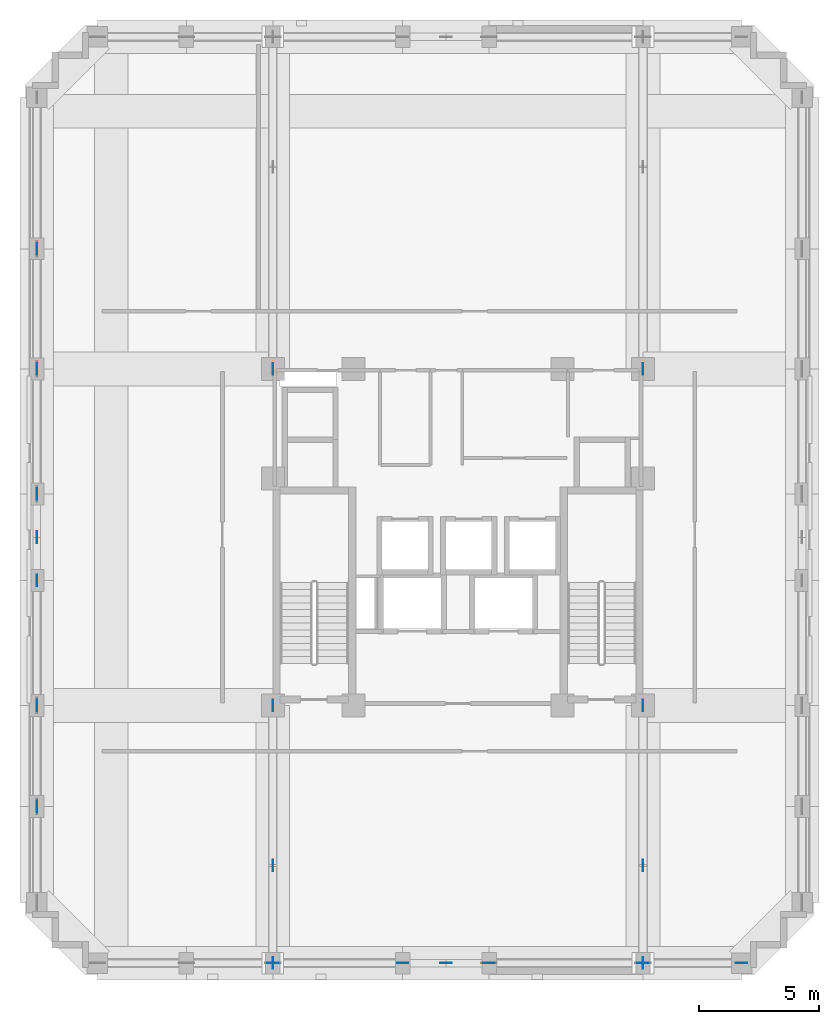
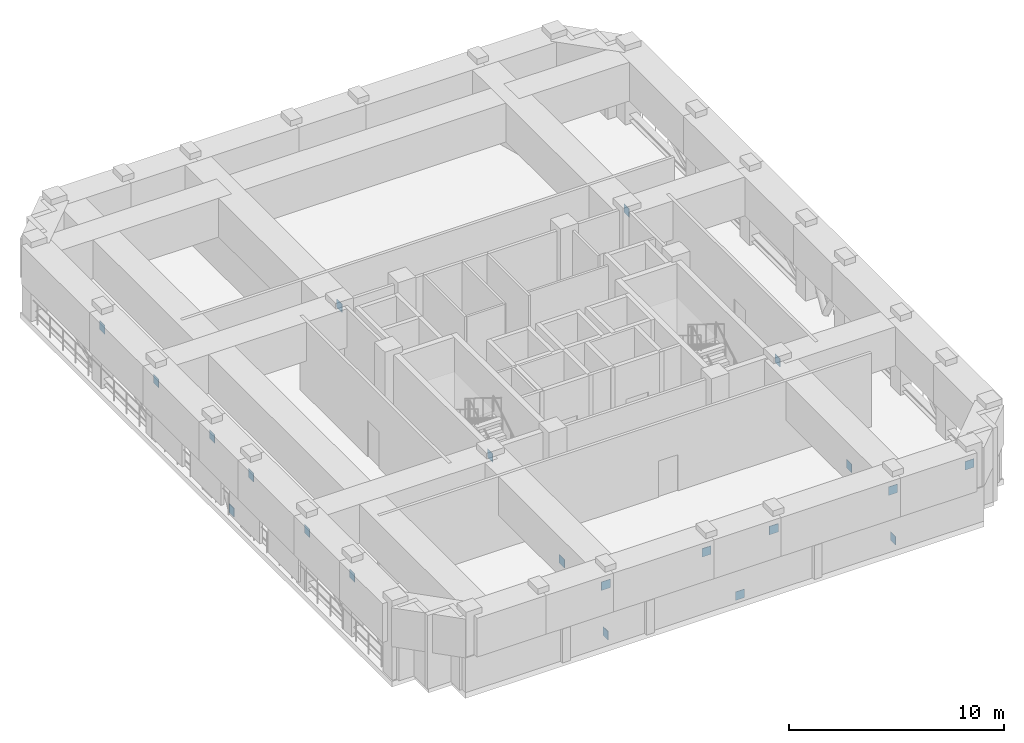
# One storey, part 6 of 12: 21 discrete accessories.
"""IFC4 building model written with IfcOpenShell, lengths in metres."""

from ifc_helpers import new_model, si_unit, derived_unit, direction, frame, origin, origin_2d, place, context, subcontext, project, spatial, rectangle, extrude, material, layer, layer_set, type_object, element, save


model = new_model("IFC4")

# Units and contexts
model_context = context("Model", 3, precision=1e-05, world=origin(), true_north=direction((0.0, 1.0)))
body_context = subcontext(model_context, "Body", "Model", "MODEL_VIEW")
ifc_project = project(units=[si_unit("LENGTHUNIT", "METRE"), si_unit("AREAUNIT", "SQUARE_METRE"), si_unit("VOLUMEUNIT", "CUBIC_METRE"), si_unit("PLANEANGLEUNIT", "RADIAN"), si_unit("MASSUNIT", "GRAM", prefix="KILO"), derived_unit("THERMALTRANSMITTANCEUNIT", [(si_unit("MASSUNIT", "GRAM", prefix="KILO"), 1), (si_unit("TIMEUNIT", "SECOND"), -3), (si_unit("THERMODYNAMICTEMPERATUREUNIT", "KELVIN"), -1)])], contexts=[model_context])

# Site, building, storey
site_placement = place(None, origin())
site = spatial("IfcSite", under=ifc_project, at=site_placement, CompositionType="ELEMENT")
building_placement = place(site_placement, origin())
building = spatial("IfcBuilding", under=site, at=building_placement, Name="Korrvale Station Residences", CompositionType="ELEMENT")
storey_placement = place(building_placement, frame((0.0, 0.0, 169.89990234375)))
storey = spatial("IfcBuildingStorey", under=building, at=storey_placement, Name="L49", CompositionType="ELEMENT", Elevation=169.89990234375)

# Discrete accessories
ifc_material = material(Name="Steel S355", Category="steel")
ifc_layer = layer(ifc_material, 0.02490234375, Name="Steel S355")
ifc_layer_set = layer_set([ifc_layer], Name="Steel S355")
discrete_accessory_type = type_object("IfcDiscreteAccessoryType", Name="ACC-GUSSET-25", PredefinedType="BRACKET", material=ifc_layer_set)
for number, where, z_axis, x_axis, name in (
    (1, (25.0, 4.280029296875, -0.219970703125), (0.0, 0.0, 1.0), (1.0, 0.0, 0.0), "L49 S Brace End Gusset Connection M"),
    (2, (23.199951171875, 4.280029296875, 2.860107421875), (0.0, 0.0, 1.0), (1.0, 0.0, 0.0), "L49 S Brace End Gusset Connection A"),
    (3, (26.800048828125, 4.280029296875, 2.860107421875), (0.0, 0.0, 1.0), (1.0, 0.0, 0.0), "L49 S Brace End Gusset Connection B"),
    (4, (7.97998046875, 22.0, -0.219970703125), (0.0, 0.0, 1.0), (0.0, 1.0, 0.0), "L49 W Brace End Gusset Connection M"),
    (5, (7.97998046875, 20.199951171875, 2.860107421875), (0.0, 0.0, 1.0), (0.0, 1.0, 0.0), "L49 W Brace End Gusset Connection A"),
    (6, (7.97998046875, 23.800048828125, 2.860107421875), (0.0, 0.0, 1.0), (0.0, 1.0, 0.0), "L49 W Brace End Gusset Connection B"),
    (7, (17.800048828125, 4.280029296875, 2.860107421875), (0.0, 0.0, 1.0), (1.0, 0.0, 0.0), "L49 Belt Truss Top Gusset Connection 02"),
    (8, (33.199951171875, 4.280029296875, 2.860107421875), (0.0, 0.0, 1.0), (1.0, 0.0, 0.0), "L49 Belt Truss Top Gusset Connection 04"),
    (9, (37.300048828125, 4.280029296875, 2.860107421875), (0.0, 0.0, 1.0), (1.0, 0.0, 0.0), "L49 Belt Truss Top Gusset Connection 05"),
    (10, (7.97998046875, 10.800048828125, 2.860107421875), (0.0, 0.0, 1.0), (0.0, 1.0, 0.0), "L49 Belt Truss Top Gusset Connection 11"),
    (11, (7.97998046875, 15.0, 2.860107421875), (0.0, 0.0, 1.0), (0.0, 1.0, 0.0), "L49 Belt Truss Top Gusset Connection 12"),
    (12, (7.97998046875, 29.0, 2.860107421875), (0.0, 0.0, 1.0), (0.0, 1.0, 0.0), "L49 Belt Truss Top Gusset Connection 14"),
    (13, (7.97998046875, 34.0, 2.860107421875), (0.0, 0.0, 1.0), (0.0, 1.0, 0.0), "L49 Belt Truss Top Gusset Connection 15"),
    (14, (17.800048828125, 4.280029296875, 0.110107421875), (0.0, 0.0, 1.0), (0.0, 1.0, 0.0), "L49 Outrigger Gusset Connection 1A"),
    (15, (17.800048828125, 15.0, 3.690185546875), (0.0, 0.0, 1.0), (0.0, 1.0, 0.0), "L49 Outrigger Gusset Connection 1B"),
    (16, (17.800048828125, 8.340087890625, 1.739990234375), (0.0, 0.0, 1.0), (0.0, 1.0, 0.0), "L49 Outrigger Gusset Connection 1M"),
    (17, (33.199951171875, 4.280029296875, 0.110107421875), (0.0, 0.0, 1.0), (0.0, 1.0, 0.0), "L49 Outrigger Gusset Connection 2A"),
    (18, (33.199951171875, 15.0, 3.690185546875), (0.0, 0.0, 1.0), (0.0, 1.0, 0.0), "L49 Outrigger Gusset Connection 2B"),
    (19, (33.199951171875, 8.340087890625, 1.739990234375), (0.0, 0.0, 1.0), (0.0, 1.0, 0.0), "L49 Outrigger Gusset Connection 2M"),
    (20, (17.800048828125, 29.0, 3.690185546875), (0.0, 0.0, 1.0), (0.0, 1.0, 0.0), "L49 Outrigger Gusset Connection 3B"),
    (21, (33.199951171875, 29.0, 3.690185546875), (0.0, 0.0, 1.0), (0.0, 1.0, 0.0), "L49 Outrigger Gusset Connection 4B"),
):
    element("IfcDiscreteAccessory", number, at=place(storey_placement, frame(where, z_axis=z_axis, x_axis=x_axis)), inside=storey, type_object=discrete_accessory_type, Name=name, PredefinedType="BRACKET", context=body_context, shape_type="SweptSolid", body=[
        extrude(rectangle(XDim=0.47998046875, YDim=0.02490234375, at=origin_2d()), origin(), (0.0, 0.0, 1.0), 0.47998046875),
    ])

save(model, "model.ifc")
